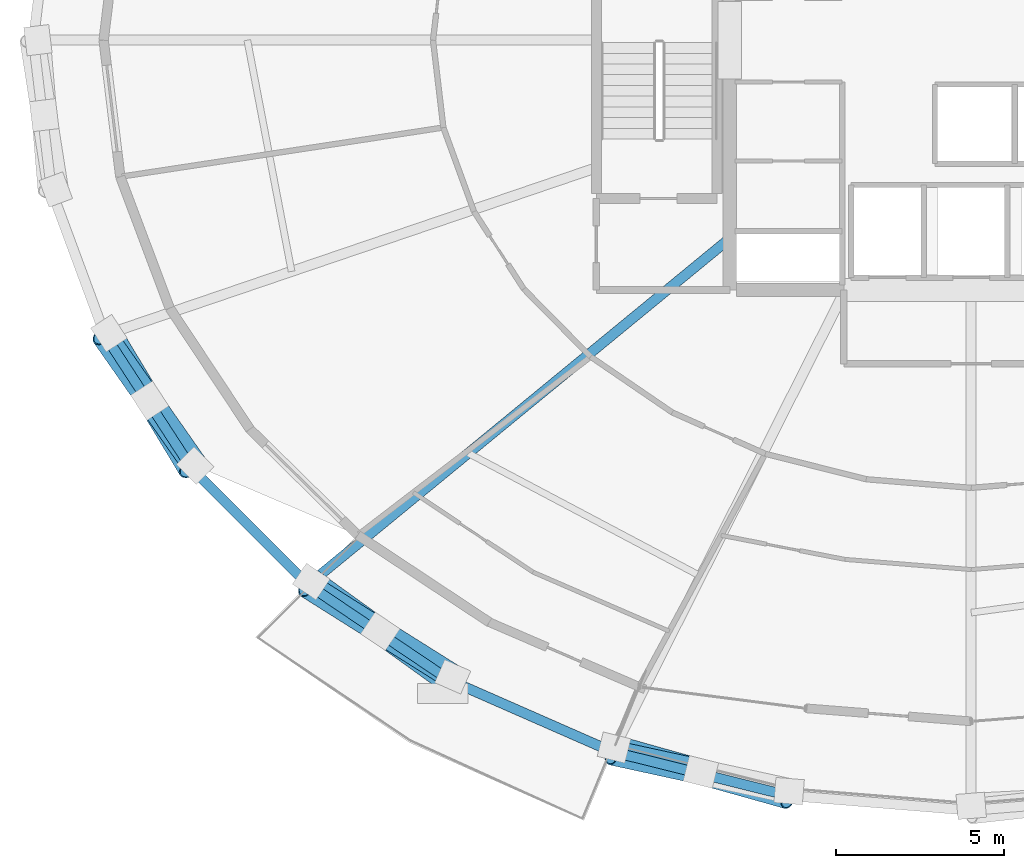
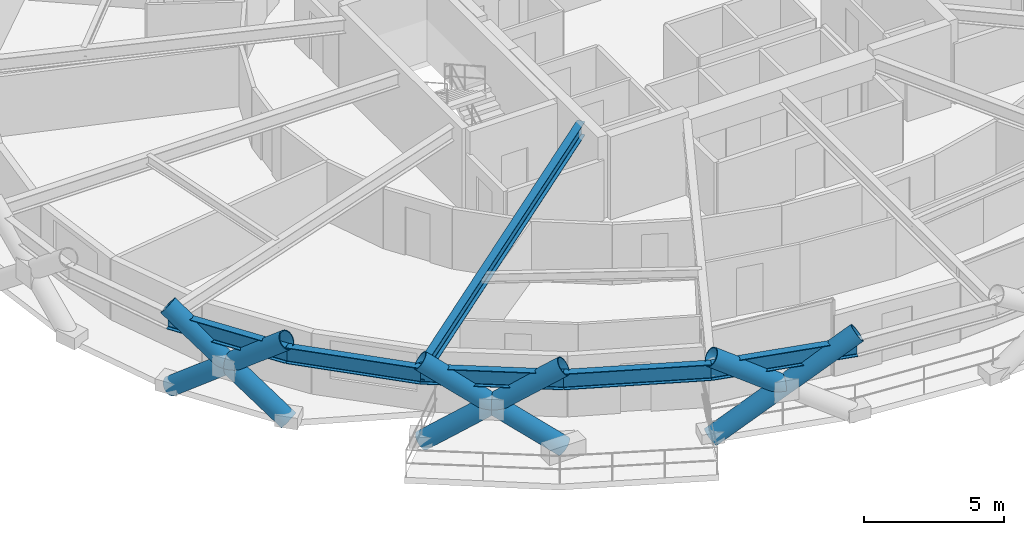
# One storey, part 1 of 13: 8 members, 6 beams.
"""IFC4 building model written with IfcOpenShell, lengths in metres."""

from ifc_helpers import new_model, si_unit, direction, frame, origin, origin_2d, place, context, subcontext, project, spatial, hollow_circle, i_section, extrude, material, material_profile, profile_set, type_object, element, save


model = new_model("IFC4")

# Units and contexts
model_context = context("Model", 3, precision=1e-05, world=origin(), true_north=direction((0.0, 1.0)))
body_context = subcontext(model_context, "Body", "Model", "MODEL_VIEW")
ifc_project = project(units=[si_unit("LENGTHUNIT", "METRE"), si_unit("AREAUNIT", "SQUARE_METRE"), si_unit("VOLUMEUNIT", "CUBIC_METRE"), si_unit("PLANEANGLEUNIT", "RADIAN"), si_unit("MASSUNIT", "GRAM", prefix="KILO")], contexts=[model_context])

# Site, building, storey
site_placement = place(None, origin())
site = spatial("IfcSite", under=ifc_project, at=site_placement, CompositionType="ELEMENT")
building_placement = place(site_placement, origin())
building = spatial("IfcBuilding", under=site, at=building_placement, Name="Veldorina Hangang Commons", CompositionType="ELEMENT")
storey_placement = place(building_placement, frame((0.0, 0.0, 37.60009765625)))
storey = spatial("IfcBuildingStorey", under=building, at=storey_placement, Name="L08", CompositionType="ELEMENT", Elevation=37.60009765625)

# Beams
ifc_material = material(Name="Steel SM460-TMC", Category="steel")
ifc_material_profile_1 = material_profile(ifc_material, i_section(OverallWidth=0.300048828125, OverallDepth=0.587890625, WebThickness=0.011962890625, FlangeThickness=0.02001953125, FilletRadius=0.01806640625, at=origin_2d()), Name="H-588x300x12x20")
ifc_profile_set_1 = profile_set([ifc_material_profile_1], Name="Steel SM460-TMC")
beam_type_1 = type_object("IfcBeamType", Name="BM-FG588", PredefinedType="BEAM", material=ifc_profile_set_1)
beam_1_placement = place(storey_placement, frame((24.800048828125, 18.087158203125, 3.0458984375), z_axis=(-0.772809028637, -0.634638641478, 0.0), x_axis=(0.634638641478, -0.772809028637, 0.0)))
element("IfcBeam", 1, at=beam_1_placement, inside=storey, type_object=beam_type_1, Name="L08 radial floor girder 11", PredefinedType="BEAM", context=body_context, shape_type="SweptSolid", body=[
    extrude(i_section(OverallWidth=0.300048828125, OverallDepth=0.587890625, WebThickness=0.011962890625, FlangeThickness=0.02001953125, FilletRadius=0.01806640625, at=origin_2d()), origin(), (0.0, 0.0, 1.0), 16.273681640625),
])
ifc_material_profile_2 = material_profile(ifc_material, i_section(OverallWidth=0.300048828125, OverallDepth=0.699951171875, WebThickness=0.012939453125, FlangeThickness=0.02392578125, FilletRadius=0.02197265625, at=origin_2d()), Name="H-700x300x13x24")
ifc_profile_set_2 = profile_set([ifc_material_profile_2], Name="Steel SM460-TMC")
beam_type_2 = type_object("IfcBeamType", Name="BM-RB700", PredefinedType="BEAM", material=ifc_profile_set_2)
beam_2_placement = place(storey_placement, frame((6.160888671875, 15.21044921875, 2.989990234375), z_axis=(0.545522532992, -0.83809615558, 0.0), x_axis=(0.83809615558, 0.545522532992, 0.0)))
element("IfcBeam", 2, at=beam_2_placement, inside=storey, type_object=beam_type_2, Name="L08 perimeter hoop ring beam 18", PredefinedType="BEAM", context=body_context, shape_type="SweptSolid", body=[
    extrude(i_section(OverallWidth=0.300048828125, OverallDepth=0.699951171875, WebThickness=0.012939453125, FlangeThickness=0.02392578125, FilletRadius=0.02197265625, at=origin_2d()), origin(), (0.0, 0.0, 1.0), 4.738037109375),
])
beam_3_placement = place(storey_placement, frame((8.74560546875, 11.239501953125, 2.989990234375), z_axis=(0.706883456899, -0.707330034964, 0.0), x_axis=(0.707330034964, 0.706883456899, 0.0)))
element("IfcBeam", 3, at=beam_3_placement, inside=storey, type_object=beam_type_2, Name="L08 perimeter hoop ring beam 19", PredefinedType="BEAM", context=body_context, shape_type="SweptSolid", body=[
    extrude(i_section(OverallWidth=0.300048828125, OverallDepth=0.699951171875, WebThickness=0.012939453125, FlangeThickness=0.02392578125, FilletRadius=0.02197265625, at=origin_2d()), origin(), (0.0, 0.0, 1.0), 4.920166015625),
])
beam_4_placement = place(storey_placement, frame((12.2236328125, 7.75927734375, 2.989990234375), z_axis=(0.8292471772, -0.558882026108, 0.0), x_axis=(0.558882026108, 0.8292471772, 0.0)))
element("IfcBeam", 4, at=beam_4_placement, inside=storey, type_object=beam_type_2, Name="L08 perimeter hoop ring beam 20", PredefinedType="BEAM", context=body_context, shape_type="SweptSolid", body=[
    extrude(i_section(OverallWidth=0.300048828125, OverallDepth=0.699951171875, WebThickness=0.012939453125, FlangeThickness=0.02392578125, FilletRadius=0.02197265625, at=origin_2d()), origin(), (0.0, 0.0, 1.0), 5.111083984375),
])
beam_5_placement = place(storey_placement, frame((16.4619140625, 4.90283203125, 2.989990234375), z_axis=(0.91565897193, -0.401956026355, 0.0), x_axis=(0.401956026355, 0.91565897193, 0.0)))
element("IfcBeam", 5, at=beam_5_placement, inside=storey, type_object=beam_type_2, Name="L08 perimeter hoop ring beam 21", PredefinedType="BEAM", context=body_context, shape_type="SweptSolid", body=[
    extrude(i_section(OverallWidth=0.300048828125, OverallDepth=0.699951171875, WebThickness=0.012939453125, FlangeThickness=0.02392578125, FilletRadius=0.02197265625, at=origin_2d()), origin(), (0.0, 0.0, 1.0), 5.280517578125),
])
beam_6_placement = place(storey_placement, frame((21.297119140625, 2.7802734375, 2.989990234375), z_axis=(0.970349321217, -0.241706836504, 0.0), x_axis=(0.241706836504, 0.970349321217, 0.0)))
element("IfcBeam", 6, at=beam_6_placement, inside=storey, type_object=beam_type_2, Name="L08 perimeter hoop ring beam 22", PredefinedType="BEAM", context=body_context, shape_type="SweptSolid", body=[
    extrude(i_section(OverallWidth=0.300048828125, OverallDepth=0.699951171875, WebThickness=0.012939453125, FlangeThickness=0.02392578125, FilletRadius=0.02197265625, at=origin_2d()), origin(), (0.0, 0.0, 1.0), 5.406982421875),
])

# Members
ifc_material_profile_3 = material_profile(ifc_material, hollow_circle(Radius=0.375, WallThickness=0.035888671875, at=origin_2d()), Name="CHS-750x36")
ifc_profile_set_3 = profile_set([ifc_material_profile_3], Name="Steel SM460-TMC")
member_type = type_object("IfcMemberType", Name="DG-CHS750", PredefinedType="BRACE", material=ifc_profile_set_3)
member_1_placement = place(storey_placement, frame((6.284912109375, 15.261962890625, 0.0), z_axis=(0.410859884206, -0.680500827741, 0.606722983737), x_axis=(0.856069198916, 0.516861225733, 0.0)))
element("IfcMember", 7, at=member_1_placement, inside=storey, type_object=member_type, Name="L08 continuous perimeter diagrid brace 18", PredefinedType="BRACE", context=body_context, shape_type="SweptSolid", body=[
    extrude(hollow_circle(Radius=0.375, WallThickness=0.035888671875, at=origin_2d()), origin(), (0.0, 0.0, 1.0), 5.933349609375),
])
member_2_placement = place(storey_placement, frame((8.85693359375, 11.314208984375, 0.0), z_axis=(-0.457310775407, 0.6522786721, 0.604482744683), x_axis=(-0.818809617872, -0.574065161528, 0.0)))
element("IfcMember", 8, at=member_2_placement, inside=storey, type_object=member_type, Name="L08 split perimeter diagrid lower brace 19", PredefinedType="BRACE", context=body_context, shape_type="SweptSolid", body=[
    extrude(hollow_circle(Radius=0.375, WallThickness=0.035888671875, at=origin_2d()), origin(), (0.0, 0.0, 1.0), 2.9677734375),
])
member_3_placement = place(storey_placement, frame((7.499755859375, 13.25, 1.7939453125), z_axis=(-0.456664106197, 0.652715858303, 0.604499712516), x_axis=(-0.819371663954, -0.573262659093, 0.0)))
element("IfcMember", 9, at=member_3_placement, inside=storey, type_object=member_type, Name="L08 split perimeter diagrid upper brace 19", PredefinedType="BRACE", context=body_context, shape_type="SweptSolid", body=[
    extrude(hollow_circle(Radius=0.375, WallThickness=0.035888671875, at=origin_2d()), origin(), (0.0, 0.0, 1.0), 2.987548828125),
])
member_4_placement = place(storey_placement, frame((12.318603515625, 7.85400390625, 0.0), z_axis=(0.662322497469, -0.477194976589, 0.577593164489), x_axis=(0.584565104354, 0.811346805485, 0.0)))
element("IfcMember", 10, at=member_4_placement, inside=storey, type_object=member_type, Name="L08 continuous perimeter diagrid brace 20", PredefinedType="BRACE", context=body_context, shape_type="SweptSolid", body=[
    extrude(hollow_circle(Radius=0.375, WallThickness=0.035888671875, at=origin_2d()), origin(), (0.0, 0.0, 1.0), 6.232421875),
])
member_5_placement = place(storey_placement, frame((16.536376953125, 5.014404296875, 0.0), z_axis=(-0.692609612781, 0.435151089223, 0.575269896511), x_axis=(-0.53199318191, -0.846748637082, 0.0)))
element("IfcMember", 11, at=member_5_placement, inside=storey, type_object=member_type, Name="L08 split perimeter diagrid lower brace 21", PredefinedType="BRACE", context=body_context, shape_type="SweptSolid", body=[
    extrude(hollow_circle(Radius=0.375, WallThickness=0.035888671875, at=origin_2d()), origin(), (0.0, 0.0, 1.0), 3.118896484375),
])
member_6_placement = place(storey_placement, frame((14.376220703125, 6.37158203125, 1.794189453125), z_axis=(-0.692040220609, 0.435947998684, 0.575351784131), x_axis=(-0.533004973935, -0.846112107088, 0.0)))
element("IfcMember", 12, at=member_6_placement, inside=storey, type_object=member_type, Name="L08 split perimeter diagrid upper brace 21", PredefinedType="BRACE", context=body_context, shape_type="SweptSolid", body=[
    extrude(hollow_circle(Radius=0.375, WallThickness=0.035888671875, at=origin_2d()), origin(), (0.0, 0.0, 1.0), 3.138427734375),
])
member_7_placement = place(storey_placement, frame((21.348388671875, 2.904296875, 0.0), z_axis=(0.800639389048, -0.224885586227, 0.555340473775), x_axis=(0.270417680614, 0.962743100734, 0.0)))
element("IfcMember", 13, at=member_7_placement, inside=storey, type_object=member_type, Name="L08 continuous perimeter diagrid brace 22", PredefinedType="BRACE", context=body_context, shape_type="SweptSolid", body=[
    extrude(hollow_circle(Radius=0.375, WallThickness=0.035888671875, at=origin_2d()), origin(), (0.0, 0.0, 1.0), 6.482177734375),
])
member_8_placement = place(storey_placement, frame((23.935791015625, 2.177490234375, 1.794677734375), z_axis=(-0.813297047265, 0.177259931507, 0.554190246749), x_axis=(-0.212952971622, -0.977062450347, 0.0)))
element("IfcMember", 14, at=member_8_placement, inside=storey, type_object=member_type, Name="L08 split perimeter diagrid upper brace 23", PredefinedType="BRACE", context=body_context, shape_type="SweptSolid", body=[
    extrude(hollow_circle(Radius=0.375, WallThickness=0.035888671875, at=origin_2d()), origin(), (0.0, 0.0, 1.0), 3.25732421875),
])

save(model, "model.ifc")
